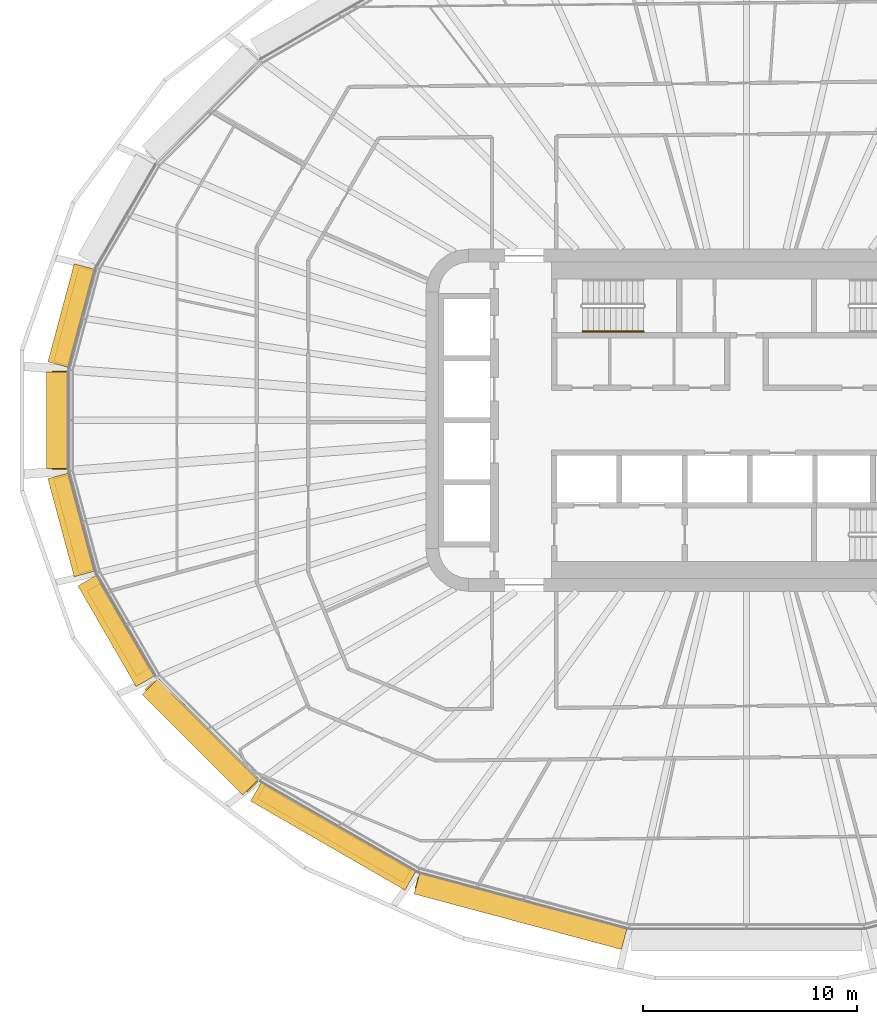
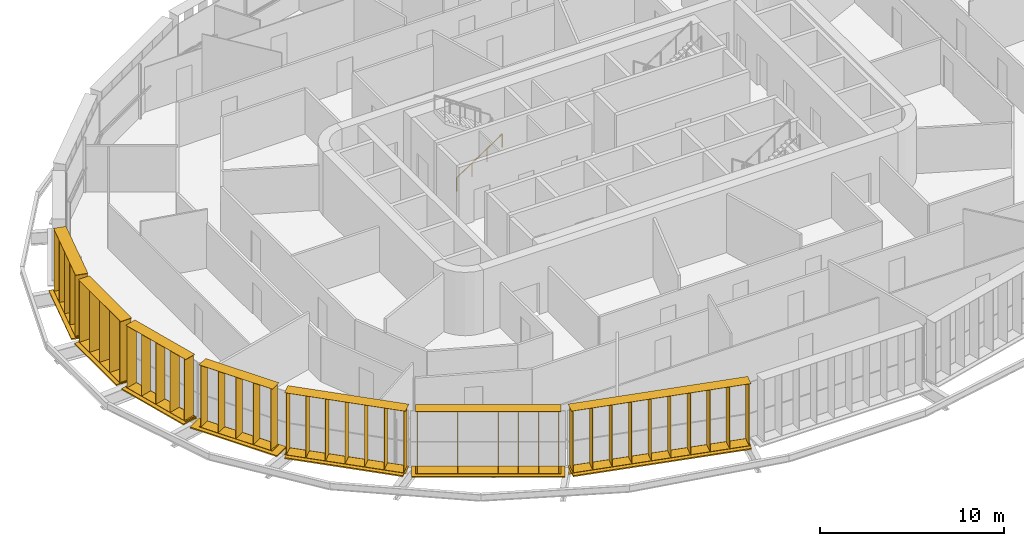
# One storey, part 21 of 26: 14 shading devices, 1 railing.
"""IFC4 building model written with IfcOpenShell, lengths in metres."""

from ifc_helpers import new_model, si_unit, direction, frame, origin, origin_2d, place, context, subcontext, project, spatial, rectangle, circle, extrude, material, type_object, element, save


model = new_model("IFC4")

# Units and contexts
model_context = context("Model", 3, precision=1e-05, world=origin(), true_north=direction((0.0, 1.0)))
body_context = subcontext(model_context, "Body", "Model", "MODEL_VIEW")
ifc_project = project(units=[si_unit("LENGTHUNIT", "METRE"), si_unit("AREAUNIT", "SQUARE_METRE"), si_unit("VOLUMEUNIT", "CUBIC_METRE"), si_unit("PLANEANGLEUNIT", "RADIAN"), si_unit("MASSUNIT", "GRAM", prefix="KILO")], contexts=[model_context])

# Site, building, storey
site_placement = place(None, origin())
site = spatial("IfcSite", under=ifc_project, at=site_placement, CompositionType="ELEMENT")
building_placement = place(site_placement, origin())
building = spatial("IfcBuilding", under=site, at=building_placement, Name="Sahrelin Media Tower", CompositionType="ELEMENT")
storey_placement = place(building_placement, frame((0.0, 0.0, 88.199951171875)))
storey = spatial("IfcBuildingStorey", under=building, at=storey_placement, Name="L16", CompositionType="ELEMENT", Elevation=88.199951171875)

# Shading devices
ifc_material_1 = material(Name="Champagne anodised aluminium 6063-T6", Category="aluminium")
shading_device_type_1 = type_object("IfcShadingDeviceType", Name="Fin cassette", PredefinedType="USERDEFINED", material=ifc_material_1)
placement_1 = place(storey_placement, frame((-31.07080078125, 4.757568359375, 0.0), z_axis=(0.0, 0.0, 1.0), x_axis=(0.258807731996, 0.965928857556, 0.0)))
element("IfcShadingDevice", 1, at=placement_1, inside=storey, type_object=shading_device_type_1, Name="L16:FIN:L16-11", ObjectType="FIN", PredefinedType="USERDEFINED", context=body_context, shape_type="SweptSolid", body=[
    extrude(rectangle(XDim=4.60009765625, YDim=0.699951171875, at=origin_2d()), frame((0.0, 0.419921875, 0.0)), (0.0, 0.0, 1.0), 0.02001953125),
    extrude(rectangle(XDim=4.60009765625, YDim=0.699951171875, at=origin_2d()), frame((0.0, 0.419921875, 4.10009765625)), (0.0, 0.0, 1.0), 0.02001953125),
    extrude(rectangle(XDim=0.02001953125, YDim=0.699951171875, at=origin_2d()), frame((-2.199951171875, 0.419921875, 0.010009765625), z_axis=(0.0, 0.0, 1.0), x_axis=(1.0, 0.0, 0.0)), (0.0, 0.0, 1.0), 4.10009765625),
    extrude(rectangle(XDim=0.02001953125, YDim=0.699951171875, at=origin_2d()), frame((-1.10009765625, 0.419921875, 0.010009765625), z_axis=(0.0, 0.0, 1.0), x_axis=(1.0, 0.0, 0.0)), (0.0, 0.0, 1.0), 4.10009765625),
    extrude(rectangle(XDim=0.02001953125, YDim=0.699951171875, at=origin_2d()), frame((0.0, 0.419921875, 0.010009765625), z_axis=(0.0, 0.0, 1.0), x_axis=(1.0, 0.0, 0.0)), (0.0, 0.0, 1.0), 4.10009765625),
    extrude(rectangle(XDim=0.02001953125, YDim=0.699951171875, at=origin_2d()), frame((1.10009765625, 0.419921875, 0.010009765625), z_axis=(0.0, 0.0, 1.0), x_axis=(1.0, 0.0, 0.0)), (0.0, 0.0, 1.0), 4.10009765625),
    extrude(rectangle(XDim=0.02001953125, YDim=0.699951171875, at=origin_2d()), frame((2.199951171875, 0.419921875, 0.010009765625), z_axis=(0.0, 0.0, 1.0), x_axis=(1.0, 0.0, 0.0)), (0.0, 0.0, 1.0), 4.10009765625),
])
placement_2 = place(storey_placement, frame((-31.711181640625, 0.0, 0.0), z_axis=(0.0, 0.0, 1.0), x_axis=(0.0, 1.0, 0.0)))
element("IfcShadingDevice", 2, at=placement_2, inside=storey, type_object=shading_device_type_1, Name="L16:FIN:L16-12", ObjectType="FIN", PredefinedType="USERDEFINED", context=body_context, shape_type="SweptSolid", body=[
    extrude(rectangle(XDim=4.60009765625, YDim=0.699951171875, at=origin_2d()), frame((0.0, 0.419921875, 0.0)), (0.0, 0.0, 1.0), 0.02001953125),
    extrude(rectangle(XDim=4.60009765625, YDim=0.699951171875, at=origin_2d()), frame((0.0, 0.419921875, 4.10009765625)), (0.0, 0.0, 1.0), 0.02001953125),
    extrude(rectangle(XDim=0.02001953125, YDim=0.699951171875, at=origin_2d()), frame((-2.199951171875, 0.419921875, 0.010009765625), z_axis=(0.0, 0.0, 1.0), x_axis=(1.0, 0.0, 0.0)), (0.0, 0.0, 1.0), 4.10009765625),
    extrude(rectangle(XDim=0.02001953125, YDim=0.699951171875, at=origin_2d()), frame((-1.10009765625, 0.419921875, 0.010009765625), z_axis=(0.0, 0.0, 1.0), x_axis=(1.0, 0.0, 0.0)), (0.0, 0.0, 1.0), 4.10009765625),
    extrude(rectangle(XDim=0.02001953125, YDim=0.699951171875, at=origin_2d()), frame((0.0, 0.419921875, 0.010009765625), z_axis=(0.0, 0.0, 1.0), x_axis=(1.0, 0.0, 0.0)), (0.0, 0.0, 1.0), 4.10009765625),
    extrude(rectangle(XDim=0.02001953125, YDim=0.699951171875, at=origin_2d()), frame((1.10009765625, 0.419921875, 0.010009765625), z_axis=(0.0, 0.0, 1.0), x_axis=(1.0, 0.0, 0.0)), (0.0, 0.0, 1.0), 4.10009765625),
    extrude(rectangle(XDim=0.02001953125, YDim=0.699951171875, at=origin_2d()), frame((2.199951171875, 0.419921875, 0.010009765625), z_axis=(0.0, 0.0, 1.0), x_axis=(1.0, 0.0, 0.0)), (0.0, 0.0, 1.0), 4.10009765625),
])
placement_3 = place(storey_placement, frame((-31.07080078125, -4.757568359375, 0.0), z_axis=(0.0, 0.0, 1.0), x_axis=(-0.258807731996, 0.965928857556, 0.0)))
element("IfcShadingDevice", 3, at=placement_3, inside=storey, type_object=shading_device_type_1, Name="L16:FIN:L16-13", ObjectType="FIN", PredefinedType="USERDEFINED", context=body_context, shape_type="SweptSolid", body=[
    extrude(rectangle(XDim=4.60009765625, YDim=0.699951171875, at=origin_2d()), frame((0.0, 0.419921875, 0.0)), (0.0, 0.0, 1.0), 0.02001953125),
    extrude(rectangle(XDim=4.60009765625, YDim=0.699951171875, at=origin_2d()), frame((0.0, 0.419921875, 4.10009765625)), (0.0, 0.0, 1.0), 0.02001953125),
    extrude(rectangle(XDim=0.02001953125, YDim=0.699951171875, at=origin_2d()), frame((-2.199951171875, 0.419921875, 0.010009765625), z_axis=(0.0, 0.0, 1.0), x_axis=(1.0, 0.0, 0.0)), (0.0, 0.0, 1.0), 4.10009765625),
    extrude(rectangle(XDim=0.02001953125, YDim=0.699951171875, at=origin_2d()), frame((-1.10009765625, 0.419921875, 0.010009765625), z_axis=(0.0, 0.0, 1.0), x_axis=(1.0, 0.0, 0.0)), (0.0, 0.0, 1.0), 4.10009765625),
    extrude(rectangle(XDim=0.02001953125, YDim=0.699951171875, at=origin_2d()), frame((0.0, 0.419921875, 0.010009765625), z_axis=(0.0, 0.0, 1.0), x_axis=(1.0, 0.0, 0.0)), (0.0, 0.0, 1.0), 4.10009765625),
    extrude(rectangle(XDim=0.02001953125, YDim=0.699951171875, at=origin_2d()), frame((1.10009765625, 0.419921875, 0.010009765625), z_axis=(0.0, 0.0, 1.0), x_axis=(1.0, 0.0, 0.0)), (0.0, 0.0, 1.0), 4.10009765625),
    extrude(rectangle(XDim=0.02001953125, YDim=0.699951171875, at=origin_2d()), frame((2.199951171875, 0.419921875, 0.010009765625), z_axis=(0.0, 0.0, 1.0), x_axis=(1.0, 0.0, 0.0)), (0.0, 0.0, 1.0), 4.10009765625),
])
placement_4 = place(storey_placement, frame((-29.021484375, -9.58837890625, 0.0), z_axis=(0.0, 0.0, 1.0), x_axis=(-0.500011000363, 0.866019052629, 0.0)))
element("IfcShadingDevice", 4, at=placement_4, inside=storey, type_object=shading_device_type_1, Name="L16:FIN:L16-14", ObjectType="FIN", PredefinedType="USERDEFINED", context=body_context, shape_type="SweptSolid", body=[
    extrude(rectangle(XDim=4.60009765625, YDim=0.699951171875, at=origin_2d()), frame((0.0, 0.419921875, 0.0)), (0.0, 0.0, 1.0), 0.02001953125),
    extrude(rectangle(XDim=4.60009765625, YDim=0.699951171875, at=origin_2d()), frame((0.0, 0.419921875, 4.10009765625)), (0.0, 0.0, 1.0), 0.02001953125),
    extrude(rectangle(XDim=0.02001953125, YDim=0.699951171875, at=origin_2d()), frame((-2.199951171875, 0.419921875, 0.010009765625), z_axis=(0.0, 0.0, 1.0), x_axis=(1.0, 0.0, 0.0)), (0.0, 0.0, 1.0), 4.10009765625),
    extrude(rectangle(XDim=0.02001953125, YDim=0.699951171875, at=origin_2d()), frame((-1.10009765625, 0.419921875, 0.010009765625), z_axis=(0.0, 0.0, 1.0), x_axis=(1.0, 0.0, 0.0)), (0.0, 0.0, 1.0), 4.10009765625),
    extrude(rectangle(XDim=0.02001953125, YDim=0.699951171875, at=origin_2d()), frame((0.0, 0.419921875, 0.010009765625), z_axis=(0.0, 0.0, 1.0), x_axis=(1.0, 0.0, 0.0)), (0.0, 0.0, 1.0), 4.10009765625),
    extrude(rectangle(XDim=0.02001953125, YDim=0.699951171875, at=origin_2d()), frame((1.10009765625, 0.419921875, 0.010009765625), z_axis=(0.0, 0.0, 1.0), x_axis=(1.0, 0.0, 0.0)), (0.0, 0.0, 1.0), 4.10009765625),
    extrude(rectangle(XDim=0.02001953125, YDim=0.699951171875, at=origin_2d()), frame((2.199951171875, 0.419921875, 0.010009765625), z_axis=(0.0, 0.0, 1.0), x_axis=(1.0, 0.0, 0.0)), (0.0, 0.0, 1.0), 4.10009765625),
])
placement_5 = place(storey_placement, frame((-25.192138671875, -14.448486328125, 0.0), z_axis=(0.0, 0.0, 1.0), x_axis=(-0.707106781187, 0.707106781187, 0.0)))
element("IfcShadingDevice", 5, at=placement_5, inside=storey, type_object=shading_device_type_1, Name="L16:FIN:L16-15", ObjectType="FIN", PredefinedType="USERDEFINED", context=body_context, shape_type="SweptSolid", body=[
    extrude(rectangle(XDim=6.800048828125, YDim=0.699951171875, at=origin_2d()), frame((0.0, 0.419921875, 0.0)), (0.0, 0.0, 1.0), 0.02001953125),
    extrude(rectangle(XDim=6.800048828125, YDim=0.699951171875, at=origin_2d()), frame((0.0, 0.419921875, 4.10009765625)), (0.0, 0.0, 1.0), 0.02001953125),
    extrude(rectangle(XDim=0.02001953125, YDim=0.699951171875, at=origin_2d()), frame((-3.300048828125, 0.419921875, 0.010009765625), z_axis=(0.0, 0.0, 1.0), x_axis=(1.0, 0.0, 0.0)), (0.0, 0.0, 1.0), 4.10009765625),
    extrude(rectangle(XDim=0.02001953125, YDim=0.699951171875, at=origin_2d()), frame((-2.199951171875, 0.419921875, 0.010009765625), z_axis=(0.0, 0.0, 1.0), x_axis=(1.0, 0.0, 0.0)), (0.0, 0.0, 1.0), 4.10009765625),
    extrude(rectangle(XDim=0.02001953125, YDim=0.699951171875, at=origin_2d()), frame((-1.10009765625, 0.419921875, 0.010009765625), z_axis=(0.0, 0.0, 1.0), x_axis=(1.0, 0.0, 0.0)), (0.0, 0.0, 1.0), 4.10009765625),
    extrude(rectangle(XDim=0.02001953125, YDim=0.699951171875, at=origin_2d()), frame((0.0, 0.419921875, 0.010009765625), z_axis=(0.0, 0.0, 1.0), x_axis=(1.0, 0.0, 0.0)), (0.0, 0.0, 1.0), 4.10009765625),
    extrude(rectangle(XDim=0.02001953125, YDim=0.699951171875, at=origin_2d()), frame((1.10009765625, 0.419921875, 0.010009765625), z_axis=(0.0, 0.0, 1.0), x_axis=(1.0, 0.0, 0.0)), (0.0, 0.0, 1.0), 4.10009765625),
    extrude(rectangle(XDim=0.02001953125, YDim=0.699951171875, at=origin_2d()), frame((2.199951171875, 0.419921875, 0.010009765625), z_axis=(0.0, 0.0, 1.0), x_axis=(1.0, 0.0, 0.0)), (0.0, 0.0, 1.0), 4.10009765625),
    extrude(rectangle(XDim=0.02001953125, YDim=0.699951171875, at=origin_2d()), frame((3.300048828125, 0.419921875, 0.010009765625), z_axis=(0.0, 0.0, 1.0), x_axis=(1.0, 0.0, 0.0)), (0.0, 0.0, 1.0), 4.10009765625),
])
placement_6 = place(storey_placement, frame((-19.074951171875, -19.003662109375, 0.0), z_axis=(0.0, 0.0, 1.0), x_axis=(-0.866019052629, 0.500011000363, 0.0)))
element("IfcShadingDevice", 6, at=placement_6, inside=storey, type_object=shading_device_type_1, Name="L16:FIN:L16-16", ObjectType="FIN", PredefinedType="USERDEFINED", context=body_context, shape_type="SweptSolid", body=[
    extrude(rectangle(XDim=7.89990234375, YDim=0.699951171875, at=origin_2d()), frame((0.0, 0.419921875, 0.0)), (0.0, 0.0, 1.0), 0.02001953125),
    extrude(rectangle(XDim=7.89990234375, YDim=0.699951171875, at=origin_2d()), frame((0.0, 0.419921875, 4.10009765625)), (0.0, 0.0, 1.0), 0.02001953125),
    extrude(rectangle(XDim=0.02001953125, YDim=0.699951171875, at=origin_2d()), frame((-3.85009765625, 0.419921875, 0.010009765625), z_axis=(0.0, 0.0, 1.0), x_axis=(1.0, 0.0, 0.0)), (0.0, 0.0, 1.0), 4.10009765625),
    extrude(rectangle(XDim=0.02001953125, YDim=0.699951171875, at=origin_2d()), frame((-2.75, 0.419921875, 0.010009765625), z_axis=(0.0, 0.0, 1.0), x_axis=(1.0, 0.0, 0.0)), (0.0, 0.0, 1.0), 4.10009765625),
    extrude(rectangle(XDim=0.02001953125, YDim=0.699951171875, at=origin_2d()), frame((-1.64990234375, 0.419921875, 0.010009765625), z_axis=(0.0, 0.0, 1.0), x_axis=(1.0, 0.0, 0.0)), (0.0, 0.0, 1.0), 4.10009765625),
    extrude(rectangle(XDim=0.02001953125, YDim=0.699951171875, at=origin_2d()), frame((-0.550048828125, 0.419921875, 0.010009765625), z_axis=(0.0, 0.0, 1.0), x_axis=(1.0, 0.0, 0.0)), (0.0, 0.0, 1.0), 4.10009765625),
    extrude(rectangle(XDim=0.02001953125, YDim=0.699951171875, at=origin_2d()), frame((0.550048828125, 0.419921875, 0.010009765625), z_axis=(0.0, 0.0, 1.0), x_axis=(1.0, 0.0, 0.0)), (0.0, 0.0, 1.0), 4.10009765625),
    extrude(rectangle(XDim=0.02001953125, YDim=0.699951171875, at=origin_2d()), frame((1.64990234375, 0.419921875, 0.010009765625), z_axis=(0.0, 0.0, 1.0), x_axis=(1.0, 0.0, 0.0)), (0.0, 0.0, 1.0), 4.10009765625),
    extrude(rectangle(XDim=0.02001953125, YDim=0.699951171875, at=origin_2d()), frame((2.75, 0.419921875, 0.010009765625), z_axis=(0.0, 0.0, 1.0), x_axis=(1.0, 0.0, 0.0)), (0.0, 0.0, 1.0), 4.10009765625),
    extrude(rectangle(XDim=0.02001953125, YDim=0.699951171875, at=origin_2d()), frame((3.85009765625, 0.419921875, 0.010009765625), z_axis=(0.0, 0.0, 1.0), x_axis=(1.0, 0.0, 0.0)), (0.0, 0.0, 1.0), 4.10009765625),
])
placement_7 = place(storey_placement, frame((-10.436279296875, -22.4619140625, 0.0), z_axis=(0.0, 0.0, 1.0), x_axis=(-0.965928857556, 0.258807731996, 0.0)))
element("IfcShadingDevice", 7, at=placement_7, inside=storey, type_object=shading_device_type_1, Name="L16:FIN:L16-17", ObjectType="FIN", PredefinedType="USERDEFINED", context=body_context, shape_type="SweptSolid", body=[
    extrude(rectangle(XDim=10.10009765625, YDim=0.699951171875, at=origin_2d()), frame((0.0, 0.419921875, 0.0)), (0.0, 0.0, 1.0), 0.02001953125),
    extrude(rectangle(XDim=10.10009765625, YDim=0.699951171875, at=origin_2d()), frame((0.0, 0.419921875, 4.10009765625)), (0.0, 0.0, 1.0), 0.02001953125),
    extrude(rectangle(XDim=0.02001953125, YDim=0.699951171875, at=origin_2d()), frame((-4.949951171875, 0.419921875, 0.010009765625), z_axis=(0.0, 0.0, 1.0), x_axis=(1.0, 0.0, 0.0)), (0.0, 0.0, 1.0), 4.10009765625),
    extrude(rectangle(XDim=0.02001953125, YDim=0.699951171875, at=origin_2d()), frame((-3.85009765625, 0.419921875, 0.010009765625), z_axis=(0.0, 0.0, 1.0), x_axis=(1.0, 0.0, 0.0)), (0.0, 0.0, 1.0), 4.10009765625),
    extrude(rectangle(XDim=0.02001953125, YDim=0.699951171875, at=origin_2d()), frame((-2.75, 0.419921875, 0.010009765625), z_axis=(0.0, 0.0, 1.0), x_axis=(1.0, 0.0, 0.0)), (0.0, 0.0, 1.0), 4.10009765625),
    extrude(rectangle(XDim=0.02001953125, YDim=0.699951171875, at=origin_2d()), frame((-1.64990234375, 0.419921875, 0.010009765625), z_axis=(0.0, 0.0, 1.0), x_axis=(1.0, 0.0, 0.0)), (0.0, 0.0, 1.0), 4.10009765625),
    extrude(rectangle(XDim=0.02001953125, YDim=0.699951171875, at=origin_2d()), frame((-0.550048828125, 0.419921875, 0.010009765625), z_axis=(0.0, 0.0, 1.0), x_axis=(1.0, 0.0, 0.0)), (0.0, 0.0, 1.0), 4.10009765625),
    extrude(rectangle(XDim=0.02001953125, YDim=0.699951171875, at=origin_2d()), frame((0.550048828125, 0.419921875, 0.010009765625), z_axis=(0.0, 0.0, 1.0), x_axis=(1.0, 0.0, 0.0)), (0.0, 0.0, 1.0), 4.10009765625),
    extrude(rectangle(XDim=0.02001953125, YDim=0.699951171875, at=origin_2d()), frame((1.64990234375, 0.419921875, 0.010009765625), z_axis=(0.0, 0.0, 1.0), x_axis=(1.0, 0.0, 0.0)), (0.0, 0.0, 1.0), 4.10009765625),
    extrude(rectangle(XDim=0.02001953125, YDim=0.699951171875, at=origin_2d()), frame((2.75, 0.419921875, 0.010009765625), z_axis=(0.0, 0.0, 1.0), x_axis=(1.0, 0.0, 0.0)), (0.0, 0.0, 1.0), 4.10009765625),
    extrude(rectangle(XDim=0.02001953125, YDim=0.699951171875, at=origin_2d()), frame((3.85009765625, 0.419921875, 0.010009765625), z_axis=(0.0, 0.0, 1.0), x_axis=(1.0, 0.0, 0.0)), (0.0, 0.0, 1.0), 4.10009765625),
    extrude(rectangle(XDim=0.02001953125, YDim=0.699951171875, at=origin_2d()), frame((4.949951171875, 0.419921875, 0.010009765625), z_axis=(0.0, 0.0, 1.0), x_axis=(1.0, 0.0, 0.0)), (0.0, 0.0, 1.0), 4.10009765625),
])

# Railing
ifc_material_2 = material(Name="Steel S355", Category="steel")
railing_type = type_object("IfcRailingType", Name="Stair handrail 900", PredefinedType="HANDRAIL", material=ifc_material_2)
railing_placement = place(storey_placement, frame((-7.675048828125, 4.14990234375, 0.175048828125)))
element("IfcRailing", 8, at=railing_placement, inside=storey, type_object=railing_type, Name="L16 ST1 stair handrail 1", PredefinedType="HANDRAIL", context=body_context, shape_type="SweptSolid", body=[
    extrude(circle(Radius=0.02392578125, at=origin_2d()), frame((0.0, 0.0, 0.8759765625), z_axis=(0.829590901723, 0.0, 0.558371682465), x_axis=(0.0, 1.0, 0.0)), (0.0, 0.0, 1.0), 3.447509765625),
    extrude(circle(Radius=0.02099609375, at=origin_2d()), origin(), (0.0, 0.0, 1.0), 0.851806640625),
    extrude(circle(Radius=0.02099609375, at=origin_2d()), frame((0.953369140625, 0.0, 0.6416015625)), (0.0, 0.0, 1.0), 0.851806640625),
    extrude(circle(Radius=0.02099609375, at=origin_2d()), frame((1.90673828125, 0.0, 1.283447265625)), (0.0, 0.0, 1.0), 0.851806640625),
    extrude(circle(Radius=0.02099609375, at=origin_2d()), frame((2.860107421875, 0.0, 1.925048828125)), (0.0, 0.0, 1.0), 0.851806640625),
])

# Shading devices
shading_device_type_2 = type_object("IfcShadingDeviceType", Name="Sunshade band", PredefinedType="USERDEFINED", material=ifc_material_1)
element("IfcShadingDevice", 9, at=placement_1, inside=storey, type_object=shading_device_type_2, Name="L16:SUN:L16-11", ObjectType="SUNSHADE", PredefinedType="USERDEFINED", context=body_context, shape_type="SweptSolid", body=[
    extrude(rectangle(XDim=4.75048828125, YDim=0.050048828125, at=origin_2d()), frame((0.0, 0.044921875, -0.55126953125)), (0.0, 0.0, 1.0), 0.471435546875),
    extrude(rectangle(XDim=4.75048828125, YDim=1.0, at=origin_2d()), frame((0.0, 0.52001953125, -0.080078125)), (0.0, 0.0, 1.0), 0.080078125),
    extrude(rectangle(XDim=0.10009765625, YDim=0.074951171875, at=origin_2d()), frame((-2.275390625, -0.017578125, -0.47021484375)), (0.0, 0.0, 1.0), 0.300048828125),
    extrude(rectangle(XDim=0.10009765625, YDim=0.074951171875, at=origin_2d()), frame((-0.75830078125, -0.017578125, -0.47021484375)), (0.0, 0.0, 1.0), 0.300048828125),
    extrude(rectangle(XDim=0.10009765625, YDim=0.074951171875, at=origin_2d()), frame((0.75830078125, -0.017578125, -0.47021484375)), (0.0, 0.0, 1.0), 0.300048828125),
    extrude(rectangle(XDim=0.10009765625, YDim=0.074951171875, at=origin_2d()), frame((2.275390625, -0.017578125, -0.47021484375)), (0.0, 0.0, 1.0), 0.300048828125),
])
element("IfcShadingDevice", 10, at=placement_2, inside=storey, type_object=shading_device_type_2, Name="L16:SUN:L16-12", ObjectType="SUNSHADE", PredefinedType="USERDEFINED", context=body_context, shape_type="SweptSolid", body=[
    extrude(rectangle(XDim=4.533447265625, YDim=0.050048828125, at=origin_2d()), frame((0.0, 0.044921875, -0.55126953125)), (0.0, 0.0, 1.0), 0.471435546875),
    extrude(rectangle(XDim=4.533447265625, YDim=1.0, at=origin_2d()), frame((0.0, 0.52001953125, -0.080078125)), (0.0, 0.0, 1.0), 0.080078125),
    extrude(rectangle(XDim=0.10009765625, YDim=0.074951171875, at=origin_2d()), frame((-2.166748046875, -0.017578125, -0.47021484375)), (0.0, 0.0, 1.0), 0.300048828125),
    extrude(rectangle(XDim=0.10009765625, YDim=0.074951171875, at=origin_2d()), frame((-0.72216796875, -0.017578125, -0.47021484375)), (0.0, 0.0, 1.0), 0.300048828125),
    extrude(rectangle(XDim=0.10009765625, YDim=0.074951171875, at=origin_2d()), frame((0.72216796875, -0.017578125, -0.47021484375)), (0.0, 0.0, 1.0), 0.300048828125),
    extrude(rectangle(XDim=0.10009765625, YDim=0.074951171875, at=origin_2d()), frame((2.166748046875, -0.017578125, -0.47021484375)), (0.0, 0.0, 1.0), 0.300048828125),
])
element("IfcShadingDevice", 11, at=placement_3, inside=storey, type_object=shading_device_type_2, Name="L16:SUN:L16-13", ObjectType="SUNSHADE", PredefinedType="USERDEFINED", context=body_context, shape_type="SweptSolid", body=[
    extrude(rectangle(XDim=4.75048828125, YDim=0.050048828125, at=origin_2d()), frame((0.0, 0.044921875, -0.55126953125)), (0.0, 0.0, 1.0), 0.471435546875),
    extrude(rectangle(XDim=4.75048828125, YDim=1.0, at=origin_2d()), frame((0.0, 0.52001953125, -0.080078125)), (0.0, 0.0, 1.0), 0.080078125),
    extrude(rectangle(XDim=0.10009765625, YDim=0.074951171875, at=origin_2d()), frame((-2.275390625, -0.017578125, -0.47021484375)), (0.0, 0.0, 1.0), 0.300048828125),
    extrude(rectangle(XDim=0.10009765625, YDim=0.074951171875, at=origin_2d()), frame((-0.75830078125, -0.017578125, -0.47021484375)), (0.0, 0.0, 1.0), 0.300048828125),
    extrude(rectangle(XDim=0.10009765625, YDim=0.074951171875, at=origin_2d()), frame((0.75830078125, -0.017578125, -0.47021484375)), (0.0, 0.0, 1.0), 0.300048828125),
    extrude(rectangle(XDim=0.10009765625, YDim=0.074951171875, at=origin_2d()), frame((2.275390625, -0.017578125, -0.47021484375)), (0.0, 0.0, 1.0), 0.300048828125),
])
element("IfcShadingDevice", 12, at=placement_4, inside=storey, type_object=shading_device_type_2, Name="L16:SUN:L16-14", ObjectType="SUNSHADE", PredefinedType="USERDEFINED", context=body_context, shape_type="SweptSolid", body=[
    extrude(rectangle(XDim=5.43408203125, YDim=0.050048828125, at=origin_2d()), frame((0.0, 0.044921875, -0.55126953125)), (0.0, 0.0, 1.0), 0.471435546875),
    extrude(rectangle(XDim=5.43408203125, YDim=1.0, at=origin_2d()), frame((0.0, 0.52001953125, -0.080078125)), (0.0, 0.0, 1.0), 0.080078125),
    extrude(rectangle(XDim=0.10009765625, YDim=0.074951171875, at=origin_2d()), frame((-2.616943359375, -0.017578125, -0.47021484375)), (0.0, 0.0, 1.0), 0.300048828125),
    extrude(rectangle(XDim=0.10009765625, YDim=0.074951171875, at=origin_2d()), frame((-0.872314453125, -0.017578125, -0.47021484375)), (0.0, 0.0, 1.0), 0.300048828125),
    extrude(rectangle(XDim=0.10009765625, YDim=0.074951171875, at=origin_2d()), frame((0.872314453125, -0.017578125, -0.47021484375)), (0.0, 0.0, 1.0), 0.300048828125),
    extrude(rectangle(XDim=0.10009765625, YDim=0.074951171875, at=origin_2d()), frame((2.616943359375, -0.017578125, -0.47021484375)), (0.0, 0.0, 1.0), 0.300048828125),
])
element("IfcShadingDevice", 13, at=placement_5, inside=storey, type_object=shading_device_type_2, Name="L16:SUN:L16-15", ObjectType="SUNSHADE", PredefinedType="USERDEFINED", context=body_context, shape_type="SweptSolid", body=[
    extrude(rectangle(XDim=6.64697265625, YDim=0.050048828125, at=origin_2d()), frame((0.0, 0.044921875, -0.55126953125)), (0.0, 0.0, 1.0), 0.471435546875),
    extrude(rectangle(XDim=6.64697265625, YDim=1.0, at=origin_2d()), frame((0.0, 0.52001953125, -0.080078125)), (0.0, 0.0, 1.0), 0.080078125),
    extrude(rectangle(XDim=0.10009765625, YDim=0.074951171875, at=origin_2d()), frame((-3.223388671875, -0.017578125, -0.47021484375)), (0.0, 0.0, 1.0), 0.300048828125),
    extrude(rectangle(XDim=0.10009765625, YDim=0.074951171875, at=origin_2d()), frame((-1.61181640625, -0.017578125, -0.47021484375)), (0.0, 0.0, 1.0), 0.300048828125),
    extrude(rectangle(XDim=0.10009765625, YDim=0.074951171875, at=origin_2d()), frame((0.0, -0.017578125, -0.47021484375)), (0.0, 0.0, 1.0), 0.300048828125),
    extrude(rectangle(XDim=0.10009765625, YDim=0.074951171875, at=origin_2d()), frame((1.61181640625, -0.017578125, -0.47021484375)), (0.0, 0.0, 1.0), 0.300048828125),
    extrude(rectangle(XDim=0.10009765625, YDim=0.074951171875, at=origin_2d()), frame((3.223388671875, -0.017578125, -0.47021484375)), (0.0, 0.0, 1.0), 0.300048828125),
])
element("IfcShadingDevice", 14, at=placement_6, inside=storey, type_object=shading_device_type_2, Name="L16:SUN:L16-16", ObjectType="SUNSHADE", PredefinedType="USERDEFINED", context=body_context, shape_type="SweptSolid", body=[
    extrude(rectangle(XDim=8.336669921875, YDim=0.050048828125, at=origin_2d()), frame((0.0, 0.044921875, -0.55126953125)), (0.0, 0.0, 1.0), 0.471435546875),
    extrude(rectangle(XDim=8.336669921875, YDim=1.0, at=origin_2d()), frame((0.0, 0.52001953125, -0.080078125)), (0.0, 0.0, 1.0), 0.080078125),
    extrude(rectangle(XDim=0.10009765625, YDim=0.074951171875, at=origin_2d()), frame((-4.068359375, -0.017578125, -0.47021484375)), (0.0, 0.0, 1.0), 0.300048828125),
    extrude(rectangle(XDim=0.10009765625, YDim=0.074951171875, at=origin_2d()), frame((-2.44091796875, -0.017578125, -0.47021484375)), (0.0, 0.0, 1.0), 0.300048828125),
    extrude(rectangle(XDim=0.10009765625, YDim=0.074951171875, at=origin_2d()), frame((-0.813720703125, -0.017578125, -0.47021484375)), (0.0, 0.0, 1.0), 0.300048828125),
    extrude(rectangle(XDim=0.10009765625, YDim=0.074951171875, at=origin_2d()), frame((0.813720703125, -0.017578125, -0.47021484375)), (0.0, 0.0, 1.0), 0.300048828125),
    extrude(rectangle(XDim=0.10009765625, YDim=0.074951171875, at=origin_2d()), frame((2.44091796875, -0.017578125, -0.47021484375)), (0.0, 0.0, 1.0), 0.300048828125),
    extrude(rectangle(XDim=0.10009765625, YDim=0.074951171875, at=origin_2d()), frame((4.068359375, -0.017578125, -0.47021484375)), (0.0, 0.0, 1.0), 0.300048828125),
])
element("IfcShadingDevice", 15, at=placement_7, inside=storey, type_object=shading_device_type_2, Name="L16:SUN:L16-17", ObjectType="SUNSHADE", PredefinedType="USERDEFINED", context=body_context, shape_type="SweptSolid", body=[
    extrude(rectangle(XDim=10.033203125, YDim=0.050048828125, at=origin_2d()), frame((0.0, 0.044921875, -0.55126953125)), (0.0, 0.0, 1.0), 0.471435546875),
    extrude(rectangle(XDim=10.033203125, YDim=1.0, at=origin_2d()), frame((0.0, 0.52001953125, -0.080078125)), (0.0, 0.0, 1.0), 0.080078125),
    extrude(rectangle(XDim=0.10009765625, YDim=0.074951171875, at=origin_2d()), frame((-4.91650390625, -0.017578125, -0.47021484375)), (0.0, 0.0, 1.0), 0.300048828125),
    extrude(rectangle(XDim=0.10009765625, YDim=0.074951171875, at=origin_2d()), frame((-3.277587890625, -0.017578125, -0.47021484375)), (0.0, 0.0, 1.0), 0.300048828125),
    extrude(rectangle(XDim=0.10009765625, YDim=0.074951171875, at=origin_2d()), frame((-1.638916015625, -0.017578125, -0.47021484375)), (0.0, 0.0, 1.0), 0.300048828125),
    extrude(rectangle(XDim=0.10009765625, YDim=0.074951171875, at=origin_2d()), frame((0.0, -0.017578125, -0.47021484375)), (0.0, 0.0, 1.0), 0.300048828125),
    extrude(rectangle(XDim=0.10009765625, YDim=0.074951171875, at=origin_2d()), frame((1.638916015625, -0.017578125, -0.47021484375)), (0.0, 0.0, 1.0), 0.300048828125),
    extrude(rectangle(XDim=0.10009765625, YDim=0.074951171875, at=origin_2d()), frame((3.277587890625, -0.017578125, -0.47021484375)), (0.0, 0.0, 1.0), 0.300048828125),
    extrude(rectangle(XDim=0.10009765625, YDim=0.074951171875, at=origin_2d()), frame((4.91650390625, -0.017578125, -0.47021484375)), (0.0, 0.0, 1.0), 0.300048828125),
])

save(model, "model.ifc")
